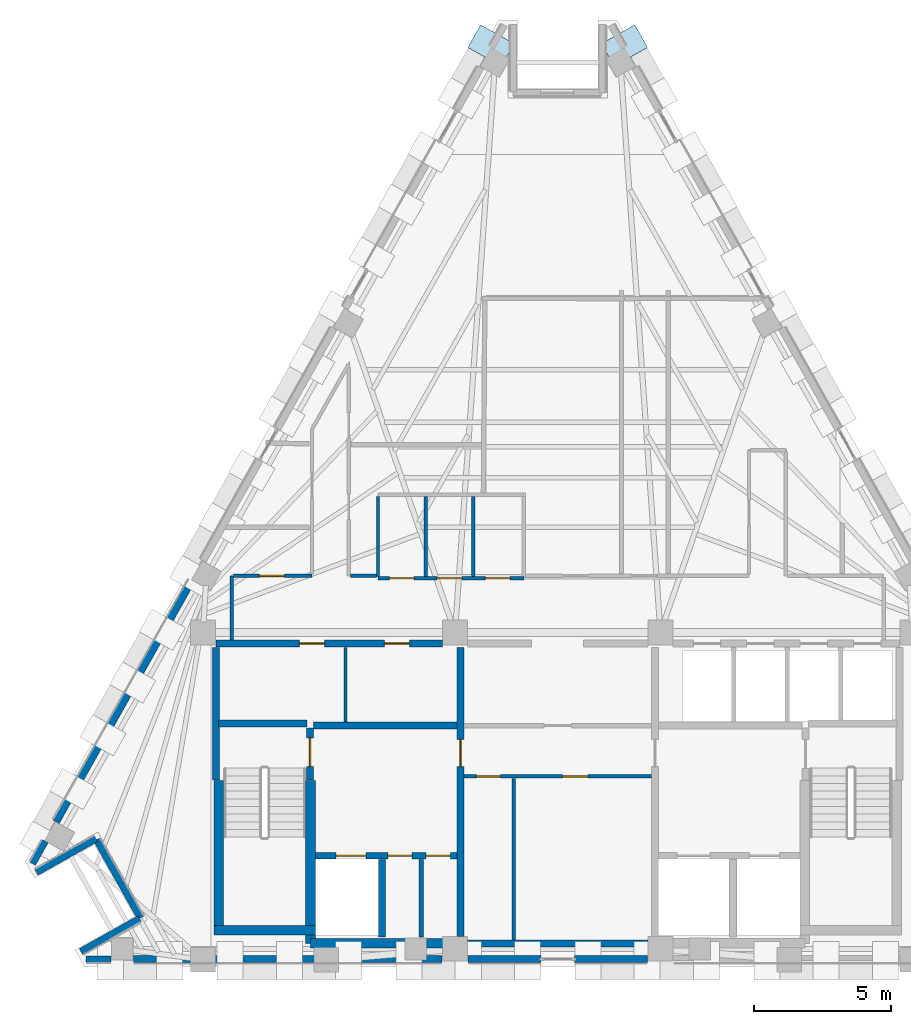
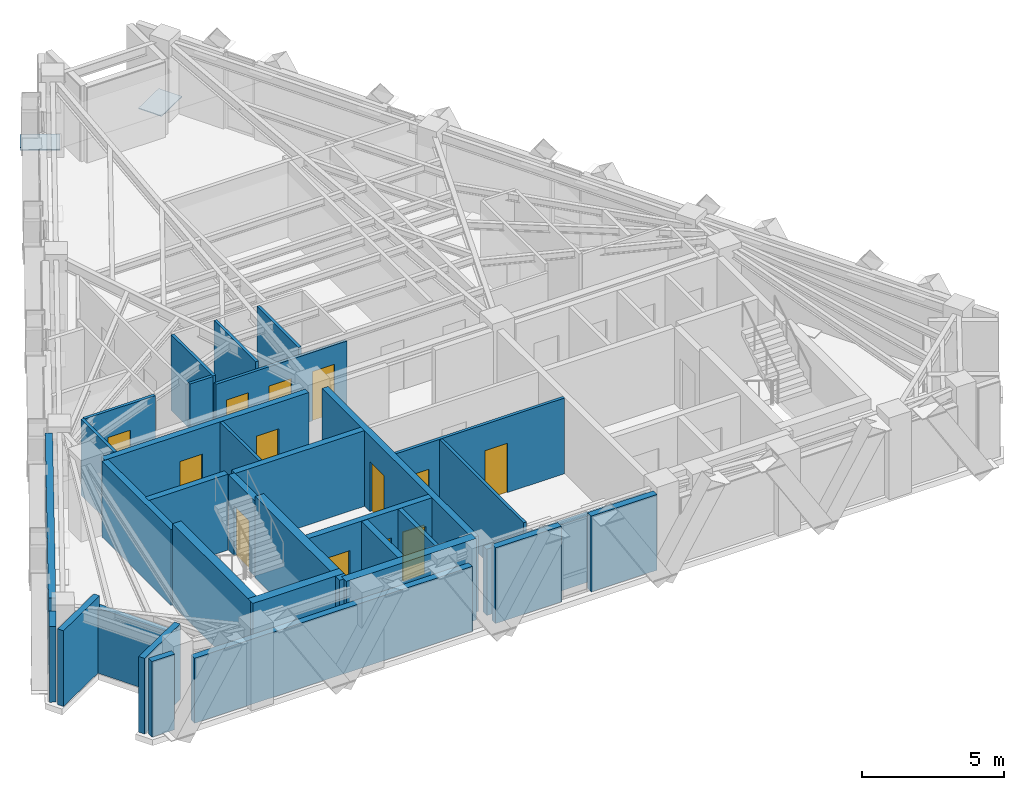
# One storey, part 5 of 9: 33 walls, 13 doors, 2 plates, 13 openings.
"""IFC4 building model written with IfcOpenShell, lengths in metres."""

from ifc_helpers import new_model, si_unit, direction, frame, frame_2d, origin, origin_2d, place, context, subcontext, project, spatial, rectangle, extrude, material, layer, layer_set, type_object, element, fill, save


model = new_model("IFC4")

# Units and contexts
model_context = context("Model", 3, precision=1e-05, world=origin(), true_north=direction((0.0, 1.0)))
body_context = subcontext(model_context, "Body", "Model", "MODEL_VIEW")
ifc_project = project(units=[si_unit("LENGTHUNIT", "METRE"), si_unit("AREAUNIT", "SQUARE_METRE"), si_unit("VOLUMEUNIT", "CUBIC_METRE"), si_unit("PLANEANGLEUNIT", "RADIAN"), si_unit("MASSUNIT", "GRAM", prefix="KILO")], contexts=[model_context])

# Site, building, storey
site_placement = place(None, origin())
site = spatial("IfcSite", under=ifc_project, at=site_placement, CompositionType="ELEMENT")
building_placement = place(site_placement, origin())
building = spatial("IfcBuilding", under=site, at=building_placement, Name="Quenlor Broadcast Tower", CompositionType="ELEMENT")
storey_placement = place(building_placement, frame((0.0, 0.0, 249.89990234375)))
storey = spatial("IfcBuildingStorey", under=building, at=storey_placement, Name="L69", CompositionType="ELEMENT", Elevation=249.89990234375)

# Plates
ifc_material_1 = material(Name="Steel S355", Category="steel")
ifc_layer_1 = layer(ifc_material_1, 0.035888671875)
ifc_layer_set_1 = layer_set([ifc_layer_1], Name="Transfer Truss Steel S355 Gusset Node Plate 1400x950x36")
plate_type = type_object("IfcPlateType", Name="Transfer Truss Steel S355 Gusset Node Plate 1400x950x36", PredefinedType="SHEET", material=ifc_layer_set_1)
for number, where, z_axis, x_axis, name in (
    (1, (2.438232421875, 16.626708984375, 0.0419921875), (0.0, 0.0, 1.0), (0.871556314255, 0.490295412055, 0.0), "L69 Lattice Tie Gusset Node NE-B0"),
    (2, (-2.438232421875, 16.626708984375, 0.0419921875), (0.0, 0.0, 1.0), (-0.871556314255, 0.490295412055, 0.0), "L69 Lattice Tie Gusset Node NW-B15"),
):
    element("IfcPlate", number, at=place(storey_placement, frame(where, z_axis=z_axis, x_axis=x_axis)), inside=storey, type_object=plate_type, Name=name, PredefinedType="SHEET", context=body_context, shape_type="SweptSolid", body=[
        extrude(rectangle(XDim=1.39990234375, YDim=0.949951171875, at=origin_2d()), origin(), (0.0, 0.0, 1.0), 0.035888671875),
    ])

# Walls
ifc_material_2 = material(Name="Concrete C50/60", Category="concrete")
ifc_layer_2 = layer(ifc_material_2, 0.35009765625)
ifc_layer_set_2 = layer_set([ifc_layer_2], Name="Core Concrete C50/60 Shear Wall 350")
wall_type_1 = type_object("IfcWallType", Name="Core Concrete C50/60 Shear Wall 350", PredefinedType="SHEAR", material=ifc_layer_set_2)
wall_1_placement = place(storey_placement, frame((-12.550048828125, -15.675048828125, 0.0), z_axis=(0.0, 0.0, 1.0), x_axis=(1.0, 0.0, 0.0)))
element("IfcWall", 3, at=wall_1_placement, inside=storey, type_object=wall_type_1, Name="L69 Core Shear Wall WS-W1", PredefinedType="SHEAR", context=body_context, shape_type="SweptSolid", body=[
    extrude(rectangle(XDim=3.699951171875, YDim=0.35009765625, at=frame_2d((1.85009765625, 0.0))), origin(), (0.0, 0.0, 1.0), 3.5),
])
wall_2_placement = place(storey_placement, frame((-9.02490234375, -16.14990234375, 0.0), z_axis=(0.0, 0.0, 1.0), x_axis=(1.0, 0.0, 0.0)))
element("IfcWall", 4, at=wall_2_placement, inside=storey, type_object=wall_type_1, Name="L69 Core Shear Wall WS-W2", PredefinedType="SHEAR", context=body_context, shape_type="SweptSolid", body=[
    extrude(rectangle(XDim=5.27490234375, YDim=0.35009765625, at=frame_2d((2.637451171875, 0.0))), origin(), (0.0, 0.0, 1.0), 3.5),
])
wall_3_placement = place(storey_placement, frame((-12.375, -15.675048828125, 0.0), z_axis=(0.0, 0.0, 1.0), x_axis=(0.0, 1.0, 0.0)))
element("IfcWall", 5, at=wall_3_placement, inside=storey, type_object=wall_type_1, Name="L69 Core Shear Wall WF-W", PredefinedType="SHEAR", context=body_context, shape_type="SweptSolid", body=[
    extrude(rectangle(XDim=5.47509765625, YDim=0.35009765625, at=frame_2d((2.737548828125, 0.0))), origin(), (0.0, 0.0, 1.0), 3.5),
])
wall_4_placement = place(storey_placement, frame((-9.02490234375, -16.14990234375, 0.0), z_axis=(0.0, 0.0, 1.0), x_axis=(0.0, 1.0, 0.0)))
element("IfcWall", 6, at=wall_4_placement, inside=storey, type_object=wall_type_1, Name="L69 Core Shear Wall WI-W", PredefinedType="SHEAR", context=body_context, shape_type="SweptSolid", body=[
    extrude(rectangle(XDim=5.949951171875, YDim=0.35009765625, at=frame_2d((2.97509765625, 0.0))), origin(), (0.0, 0.0, 1.0), 3.5),
])

# Wall, opening, door
ifc_material_3 = material(Name="Concrete C40/50", Category="concrete")
ifc_layer_3 = layer(ifc_material_3, 0.25)
ifc_layer_set_3 = layer_set([ifc_layer_3], Name="Fire Rated Concrete C40/50 Core Wall 250")
wall_type_2 = type_object("IfcWallType", Name="Fire Rated Concrete C40/50 Core Wall 250", PredefinedType="PARTITIONING", material=ifc_layer_set_3)
wall_5_placement = place(storey_placement, frame((-9.0400390625, -10.179931640625, 0.0), z_axis=(0.0, 0.0, 1.0), x_axis=(0.0, 1.0, 0.0)))
wall_5 = element("IfcWall", 7, at=wall_5_placement, inside=storey, type_object=wall_type_2, Name="L69 Interior Wall CW-ST1-DR", PredefinedType="PARTITIONING", context=body_context, shape_type="SweptSolid", body=[
    extrude(rectangle(XDim=1.89990234375, YDim=0.25, at=frame_2d((0.949951171875, 0.0))), origin(), (0.0, 0.0, 1.0), 3.25),
])
opening_1_placement = place(wall_5_placement, frame((0.47998046875, 0.0, 0.0)))
opening_1 = element("IfcOpeningElement", 8, at=opening_1_placement, cuts=wall_5, Name="Opening FD-1", PredefinedType="OPENING", context=body_context, shape_type="SweptSolid", body=[
    extrude(rectangle(XDim=1.050048828125, YDim=2.14990234375, at=frame_2d((0.52490234375, 1.074951171875))), frame((0.0, 0.135009765625, 0.0), z_axis=(0.0, -1.0, 0.0), x_axis=(1.0, 0.0, 0.0)), (0.0, 0.0, 1.0), 0.27001953125),
])
ifc_material_4 = material(Name="Fire Rated Steel Door Leaf", Category="steel")
door_type_1 = type_object("IfcDoorType", Name="Fire Isolated Stair Door 1050x2150", OperationType="NOTDEFINED", PredefinedType="DOOR", material=ifc_material_4)
door_1_placement = place(opening_1_placement, origin())
door_1 = element("IfcDoor", 9, at=door_1_placement, inside=storey, type_object=door_type_1, Name="L69 Door DR-ST1", OperationType="SINGLE_SWING_LEFT", OverallHeight=2.14990234375, OverallWidth=1.050048828125, PredefinedType="DOOR", context=body_context, shape_type="SweptSolid", body=[
    extrude(rectangle(XDim=1.050048828125, YDim=2.14990234375, at=frame_2d((0.52490234375, 1.074951171875))), frame((0.0, 0.02490234375, 0.0), z_axis=(0.0, -1.0, 0.0), x_axis=(1.0, 0.0, 0.0)), (0.0, 0.0, 1.0), 0.050048828125),
])
fill(opening_1, door_1)

# Walls
wall_6_placement = place(storey_placement, frame((-12.3798828125, -8.1201171875, 0.0), z_axis=(0.0, 0.0, 1.0), x_axis=(1.0, 0.0, 0.0)))
element("IfcWall", 10, at=wall_6_placement, inside=storey, type_object=wall_type_2, Name="L69 Interior Wall CW-ST1-N", PredefinedType="PARTITIONING", context=body_context, shape_type="SweptSolid", body=[
    extrude(rectangle(XDim=3.219970703125, YDim=0.25, at=frame_2d((1.60986328125, 0.0))), origin(), (0.0, 0.0, 1.0), 3.25),
])
wall_7_placement = place(storey_placement, frame((-12.47998046875, -10.179931640625, 0.0), z_axis=(0.0, 0.0, 1.0), x_axis=(0.0, 1.0, 0.0)))
element("IfcWall", 11, at=wall_7_placement, inside=storey, type_object=wall_type_2, Name="L69 Interior Wall CW-ST1-W2", PredefinedType="PARTITIONING", context=body_context, shape_type="SweptSolid", body=[
    extrude(rectangle(XDim=4.83984375, YDim=0.25, at=frame_2d((2.419921875, 0.0))), origin(), (0.0, 0.0, 1.0), 3.25),
])

# Wall, openings, doors
wall_8_placement = place(storey_placement, frame((-8.847900390625, -12.949951171875, 0.0), z_axis=(0.0, 0.0, 1.0), x_axis=(1.0, 0.0, 0.0)))
wall_8 = element("IfcWall", 12, at=wall_8_placement, inside=storey, type_object=wall_type_2, Name="L69 Interior Wall CW-FFW-S", PredefinedType="PARTITIONING", context=body_context, shape_type="SweptSolid", body=[
    extrude(rectangle(XDim=5.16796875, YDim=0.25, at=frame_2d((2.583984375, 0.0))), origin(), (0.0, 0.0, 1.0), 3.25),
])
opening_2_placement = place(wall_8_placement, frame((0.748046875, 0.0, 0.0)))
opening_2 = element("IfcOpeningElement", 13, at=opening_2_placement, cuts=wall_8, Name="Opening LD-FFL-1", PredefinedType="OPENING", context=body_context, shape_type="SweptSolid", body=[
    extrude(rectangle(XDim=1.10009765625, YDim=2.14990234375, at=frame_2d((0.550048828125, 1.074951171875))), frame((0.0, 0.135009765625, 0.0), z_axis=(0.0, -1.0, 0.0), x_axis=(1.0, 0.0, 0.0)), (0.0, 0.0, 1.0), 0.27001953125),
])
opening_3_placement = place(wall_8_placement, frame((2.64794921875, 0.0, 0.0)))
opening_3 = element("IfcOpeningElement", 14, at=opening_3_placement, cuts=wall_8, Name="Opening TD-1", PredefinedType="OPENING", context=body_context, shape_type="SweptSolid", body=[
    extrude(rectangle(XDim=0.8798828125, YDim=2.10009765625, at=frame_2d((0.43994140625, 1.050048828125))), frame((0.0, 0.135009765625, 0.0), z_axis=(0.0, -1.0, 0.0), x_axis=(1.0, 0.0, 0.0)), (0.0, 0.0, 1.0), 0.27001953125),
])
opening_4_placement = place(wall_8_placement, frame((4.048095703125, 0.0, 0.0)))
opening_4 = element("IfcOpeningElement", 15, at=opening_4_placement, cuts=wall_8, Name="Opening TD-1", PredefinedType="OPENING", context=body_context, shape_type="SweptSolid", body=[
    extrude(rectangle(XDim=0.8798828125, YDim=2.10009765625, at=frame_2d((0.43994140625, 1.050048828125))), frame((0.0, 0.135009765625, 0.0), z_axis=(0.0, -1.0, 0.0), x_axis=(1.0, 0.0, 0.0)), (0.0, 0.0, 1.0), 0.27001953125),
])
ifc_material_5 = material(Name="Brushed Stainless Steel", Category="steel")
door_type_2 = type_object("IfcDoorType", Name="Emergency Lift Sliding Landing Door 1100x2150", OperationType="NOTDEFINED", PredefinedType="DOOR", material=ifc_material_5)
door_2_placement = place(opening_2_placement, origin())
door_2 = element("IfcDoor", 16, at=door_2_placement, inside=storey, type_object=door_type_2, Name="L69 Door LD-FFL-1", OperationType="SLIDING_TO_LEFT", OverallHeight=2.14990234375, OverallWidth=1.10009765625, PredefinedType="DOOR", context=body_context, shape_type="SweptSolid", body=[
    extrude(rectangle(XDim=1.10009765625, YDim=2.14990234375, at=frame_2d((0.550048828125, 1.074951171875))), frame((0.0, 0.02490234375, 0.0), z_axis=(0.0, -1.0, 0.0), x_axis=(1.0, 0.0, 0.0)), (0.0, 0.0, 1.0), 0.050048828125),
])
fill(opening_2, door_2)
ifc_material_6 = material(Name="Fire Rated Steel Access Panel", Category="steel")
door_type_3 = type_object("IfcDoorType", Name="Riser Shaft Rated Access Trapdoor 880x2100", OperationType="NOTDEFINED", PredefinedType="TRAPDOOR", material=ifc_material_6)
door_3_placement = place(opening_3_placement, origin())
door_3 = element("IfcDoor", 17, at=door_3_placement, inside=storey, type_object=door_type_3, Name="L69 Door DR-ELR", OperationType="SINGLE_SWING_LEFT", OverallHeight=2.10009765625, OverallWidth=0.8798828125, PredefinedType="TRAPDOOR", context=body_context, shape_type="SweptSolid", body=[
    extrude(rectangle(XDim=0.8798828125, YDim=2.10009765625, at=frame_2d((0.43994140625, 1.050048828125))), frame((0.0, 0.02490234375, 0.0), z_axis=(0.0, -1.0, 0.0), x_axis=(1.0, 0.0, 0.0)), (0.0, 0.0, 1.0), 0.050048828125),
])
fill(opening_3, door_3)
door_4_placement = place(opening_4_placement, origin())
door_4 = element("IfcDoor", 18, at=door_4_placement, inside=storey, type_object=door_type_3, Name="L69 Door DR-CMR", OperationType="SINGLE_SWING_RIGHT", OverallHeight=2.10009765625, OverallWidth=0.8798828125, PredefinedType="TRAPDOOR", context=body_context, shape_type="SweptSolid", body=[
    extrude(rectangle(XDim=0.8798828125, YDim=2.10009765625, at=frame_2d((0.43994140625, 1.050048828125))), frame((0.0, 0.02490234375, 0.0), z_axis=(0.0, -1.0, 0.0), x_axis=(1.0, 0.0, 0.0)), (0.0, 0.0, 1.0), 0.050048828125),
])
fill(opening_4, door_4)

# Walls
wall_9_placement = place(storey_placement, frame((-6.419921875, -15.919921875, 0.0), z_axis=(0.0, 0.0, 1.0), x_axis=(0.0, 1.0, 0.0)))
element("IfcWall", 19, at=wall_9_placement, inside=storey, type_object=wall_type_2, Name="L69 Interior Wall CW-FF1-E", PredefinedType="PARTITIONING", context=body_context, shape_type="SweptSolid", body=[
    extrude(rectangle(XDim=2.829833984375, YDim=0.25, at=frame_2d((1.4150390625, 0.0))), origin(), (0.0, 0.0, 1.0), 3.25),
])
wall_10_placement = place(storey_placement, frame((-8.919921875, -8.199951171875, 0.0), z_axis=(0.0, 0.0, 1.0), x_axis=(1.0, 0.0, 0.0)))
element("IfcWall", 20, at=wall_10_placement, inside=storey, type_object=wall_type_2, Name="L69 Interior Wall CW-FFW-N", PredefinedType="PARTITIONING", context=body_context, shape_type="SweptSolid", body=[
    extrude(rectangle(XDim=5.239990234375, YDim=0.25, at=frame_2d((2.6201171875, 0.0))), origin(), (0.0, 0.0, 1.0), 3.25),
])

# Wall, opening, door
wall_11_placement = place(storey_placement, frame((-3.550048828125, -15.89794921875, 0.0), z_axis=(0.0, 0.0, 1.0), x_axis=(0.0, 1.0, 0.0)))
wall_11 = element("IfcWall", 21, at=wall_11_placement, inside=storey, type_object=wall_type_2, Name="L69 Interior Wall CW-FFW-E", PredefinedType="PARTITIONING", context=body_context, shape_type="SweptSolid", body=[
    extrude(rectangle(XDim=10.557861328125, YDim=0.25, at=frame_2d((5.27880859375, 0.0))), origin(), (0.0, 0.0, 1.0), 3.25),
])
opening_5_placement = place(wall_11_placement, frame((6.197998046875, 0.0, 0.0)))
opening_5 = element("IfcOpeningElement", 22, at=opening_5_placement, cuts=wall_11, Name="Opening FD-2", PredefinedType="OPENING", context=body_context, shape_type="SweptSolid", body=[
    extrude(rectangle(XDim=1.0, YDim=2.14990234375, at=frame_2d((0.5, 1.074951171875))), frame((0.0, 0.135009765625, 0.0), z_axis=(0.0, -1.0, 0.0), x_axis=(1.0, 0.0, 0.0)), (0.0, 0.0, 1.0), 0.27001953125),
])
ifc_material_7 = material(Name="Fire Rated Glazed Steel Door", Category="steel")
door_type_4 = type_object("IfcDoorType", Name="Firefighting Lobby Smoke Door 1000x2150", OperationType="NOTDEFINED", PredefinedType="DOOR", material=ifc_material_7)
door_5_placement = place(opening_5_placement, origin())
door_5 = element("IfcDoor", 23, at=door_5_placement, inside=storey, type_object=door_type_4, Name="L69 Door DR-FFLW", OperationType="SINGLE_SWING_RIGHT", OverallHeight=2.14990234375, OverallWidth=1.0, PredefinedType="DOOR", context=body_context, shape_type="SweptSolid", body=[
    extrude(rectangle(XDim=1.0, YDim=2.14990234375, at=frame_2d((0.5, 1.074951171875))), frame((0.0, 0.02490234375, 0.0), z_axis=(0.0, -1.0, 0.0), x_axis=(1.0, 0.0, 0.0)), (0.0, 0.0, 1.0), 0.050048828125),
])
fill(opening_5, door_5)

# Wall, openings, doors
wall_12_placement = place(storey_placement, frame((-12.47998046875, -5.199951171875, 0.0), z_axis=(0.0, 0.0, 1.0), x_axis=(1.0, 0.0, 0.0)))
wall_12 = element("IfcWall", 24, at=wall_12_placement, inside=storey, type_object=wall_type_2, Name="L69 Interior Wall CW-N-W", PredefinedType="PARTITIONING", context=body_context, shape_type="SweptSolid", body=[
    extrude(rectangle(XDim=8.278076171875, YDim=0.25, at=frame_2d((4.13916015625, 0.0))), origin(), (0.0, 0.0, 1.0), 3.25),
])
opening_6_placement = place(wall_12_placement, frame((3.050048828125, 0.0, 0.0)))
opening_6 = element("IfcOpeningElement", 25, at=opening_6_placement, cuts=wall_12, Name="Opening ID-1", PredefinedType="OPENING", context=body_context, shape_type="SweptSolid", body=[
    extrude(rectangle(XDim=0.919921875, YDim=2.1201171875, at=frame_2d((0.4599609375, 1.06005859375))), frame((0.0, 0.135009765625, 0.0), z_axis=(0.0, -1.0, 0.0), x_axis=(1.0, 0.0, 0.0)), (0.0, 0.0, 1.0), 0.27001953125),
])
opening_7_placement = place(wall_12_placement, frame((6.14990234375, 0.0, 0.0)))
opening_7 = element("IfcOpeningElement", 26, at=opening_7_placement, cuts=wall_12, Name="Opening ID-1", PredefinedType="OPENING", context=body_context, shape_type="SweptSolid", body=[
    extrude(rectangle(XDim=0.919921875, YDim=2.1201171875, at=frame_2d((0.4599609375, 1.06005859375))), frame((0.0, 0.135009765625, 0.0), z_axis=(0.0, -1.0, 0.0), x_axis=(1.0, 0.0, 0.0)), (0.0, 0.0, 1.0), 0.27001953125),
])
ifc_material_8 = material(Name="Solid Core Timber Oak", Category="wood")
door_type_5 = type_object("IfcDoorType", Name="Single Leaf Timber Office Door 920x2120", OperationType="NOTDEFINED", PredefinedType="DOOR", material=ifc_material_8)
door_6_placement = place(opening_6_placement, origin())
door_6 = element("IfcDoor", 27, at=door_6_placement, inside=storey, type_object=door_type_5, Name="L69 Door DR-RCL1", OperationType="SINGLE_SWING_LEFT", OverallHeight=2.1201171875, OverallWidth=0.919921875, PredefinedType="DOOR", context=body_context, shape_type="SweptSolid", body=[
    extrude(rectangle(XDim=0.919921875, YDim=2.1201171875, at=frame_2d((0.4599609375, 1.06005859375))), frame((0.0, 0.02490234375, 0.0), z_axis=(0.0, -1.0, 0.0), x_axis=(1.0, 0.0, 0.0)), (0.0, 0.0, 1.0), 0.050048828125),
])
fill(opening_6, door_6)
door_7_placement = place(opening_7_placement, origin())
door_7 = element("IfcDoor", 28, at=door_7_placement, inside=storey, type_object=door_type_5, Name="L69 Door DR-RCL2", OperationType="SINGLE_SWING_RIGHT", OverallHeight=2.1201171875, OverallWidth=0.919921875, PredefinedType="DOOR", context=body_context, shape_type="SweptSolid", body=[
    extrude(rectangle(XDim=0.919921875, YDim=2.1201171875, at=frame_2d((0.4599609375, 1.06005859375))), frame((0.0, 0.02490234375, 0.0), z_axis=(0.0, -1.0, 0.0), x_axis=(1.0, 0.0, 0.0)), (0.0, 0.0, 1.0), 0.050048828125),
])
fill(opening_7, door_7)

# Walls
wall_13_placement = place(storey_placement, frame((-3.298095703125, -16.14990234375, 0.0), z_axis=(0.0, 0.0, 1.0), x_axis=(1.0, 0.0, 0.0)))
element("IfcWall", 29, at=wall_13_placement, inside=storey, type_object=wall_type_2, Name="L69 Interior Wall CW-MS-S", PredefinedType="PARTITIONING", context=body_context, shape_type="SweptSolid", body=[
    extrude(rectangle(XDim=6.59619140625, YDim=0.25, at=frame_2d((3.298095703125, 0.0))), origin(), (0.0, 0.0, 1.0), 2.84375),
])
ifc_material_9 = material(Name="Gypsum Fireboard Partition", Category="other")
ifc_layer_4 = layer(ifc_material_9, 0.159912109375)
ifc_layer_set_4 = layer_set([ifc_layer_4], Name="Fire Rated Shaft and Corridor Partition 160")
wall_type_3 = type_object("IfcWallType", Name="Fire Rated Shaft and Corridor Partition 160", PredefinedType="PARTITIONING", material=ifc_layer_set_4)
wall_14_placement = place(storey_placement, frame((-4.97998046875, -15.919921875, 0.0), z_axis=(0.0, 0.0, 1.0), x_axis=(0.0, 1.0, 0.0)))
element("IfcWall", 30, at=wall_14_placement, inside=storey, type_object=wall_type_3, Name="L69 Interior Wall CW-ELR-E", PredefinedType="PARTITIONING", context=body_context, shape_type="SweptSolid", body=[
    extrude(rectangle(XDim=2.829833984375, YDim=0.159912109375, at=frame_2d((1.4150390625, 0.0))), origin(), (0.0, 0.0, 1.0), 3.25),
])
ifc_material_10 = material(Name="Gypsum Plasterboard Partition", Category="other")
ifc_layer_5 = layer(ifc_material_10, 0.1201171875)
ifc_layer_set_5 = layer_set([ifc_layer_5], Name="Standard Office Partition 120")
wall_type_4 = type_object("IfcWallType", Name="Standard Office Partition 120", PredefinedType="PARTITIONING", material=ifc_layer_set_5)
wall_15_placement = place(storey_placement, frame((-7.75, -8.072998046875, 0.0), z_axis=(0.0, 0.0, 1.0), x_axis=(0.0, 1.0, 0.0)))
element("IfcWall", 31, at=wall_15_placement, inside=storey, type_object=wall_type_4, Name="L69 Interior Wall CW-RCL-MID", PredefinedType="PARTITIONING", context=body_context, shape_type="SweptSolid", body=[
    extrude(rectangle(XDim=2.73291015625, YDim=0.1201171875, at=frame_2d((1.366455078125, 0.0))), origin(), (0.0, 0.0, 1.0), 3.25),
])

# Wall, openings, doors
wall_16_placement = place(storey_placement, frame((-3.419921875, -10.050048828125, 0.0), z_axis=(0.0, 0.0, 1.0), x_axis=(1.0, 0.0, 0.0)))
wall_16 = element("IfcWall", 32, at=wall_16_placement, inside=storey, type_object=wall_type_4, Name="L69 Interior Wall CW-MS-N", PredefinedType="PARTITIONING", context=body_context, shape_type="SweptSolid", body=[
    extrude(rectangle(XDim=6.83984375, YDim=0.1201171875, at=frame_2d((3.419921875, 0.0))), origin(), (0.0, 0.0, 1.0), 3.25),
])
opening_8_placement = place(wall_16_placement, frame((0.449951171875, 0.0, 0.0)))
opening_8 = element("IfcOpeningElement", 33, at=opening_8_placement, cuts=wall_16, Name="Opening ID-4", PredefinedType="OPENING", context=body_context, shape_type="SweptSolid", body=[
    extrude(rectangle(XDim=0.8798828125, YDim=2.1201171875, at=frame_2d((0.43994140625, 1.06005859375))), frame((0.0, 0.070068359375, 0.0), z_axis=(0.0, -1.0, 0.0), x_axis=(1.0, 0.0, 0.0)), (0.0, 0.0, 1.0), 0.14013671875),
])
opening_9_placement = place(wall_16_placement, frame((3.60009765625, 0.0, 0.0)))
opening_9 = element("IfcOpeningElement", 34, at=opening_9_placement, cuts=wall_16, Name="Opening ID-1", PredefinedType="OPENING", context=body_context, shape_type="SweptSolid", body=[
    extrude(rectangle(XDim=0.919921875, YDim=2.1201171875, at=frame_2d((0.4599609375, 1.06005859375))), frame((0.0, 0.070068359375, 0.0), z_axis=(0.0, -1.0, 0.0), x_axis=(1.0, 0.0, 0.0)), (0.0, 0.0, 1.0), 0.14013671875),
])
ifc_material_11 = material(Name="Solid Core Timber Oak", Category="wood")
door_type_6 = type_object("IfcDoorType", Name="Service Closet Timber Door 880x2120", OperationType="NOTDEFINED", PredefinedType="DOOR", material=ifc_material_11)
door_8_placement = place(opening_8_placement, origin())
door_8 = element("IfcDoor", 35, at=door_8_placement, inside=storey, type_object=door_type_6, Name="L69 Door DR-RCMA", OperationType="SINGLE_SWING_LEFT", OverallHeight=2.1201171875, OverallWidth=0.8798828125, PredefinedType="DOOR", context=body_context, shape_type="SweptSolid", body=[
    extrude(rectangle(XDim=0.8798828125, YDim=2.1201171875, at=frame_2d((0.43994140625, 1.06005859375))), frame((0.0, 0.02490234375, 0.0), z_axis=(0.0, -1.0, 0.0), x_axis=(1.0, 0.0, 0.0)), (0.0, 0.0, 1.0), 0.050048828125),
])
fill(opening_8, door_8)
door_9_placement = place(opening_9_placement, origin())
door_9 = element("IfcDoor", 36, at=door_9_placement, inside=storey, type_object=door_type_5, Name="L69 Door DR-RCMB", OperationType="SINGLE_SWING_RIGHT", OverallHeight=2.1201171875, OverallWidth=0.919921875, PredefinedType="DOOR", context=body_context, shape_type="SweptSolid", body=[
    extrude(rectangle(XDim=0.919921875, YDim=2.1201171875, at=frame_2d((0.4599609375, 1.06005859375))), frame((0.0, 0.02490234375, 0.0), z_axis=(0.0, -1.0, 0.0), x_axis=(1.0, 0.0, 0.0)), (0.0, 0.0, 1.0), 0.050048828125),
])
fill(opening_9, door_9)

# Wall
wall_17_placement = place(storey_placement, frame((-1.60009765625, -16.02001953125, 0.0), z_axis=(0.0, 0.0, 1.0), x_axis=(0.0, 1.0, 0.0)))
element("IfcWall", 37, at=wall_17_placement, inside=storey, type_object=wall_type_4, Name="L69 Interior Wall CW-RCM-X1", PredefinedType="PARTITIONING", context=body_context, shape_type="SweptSolid", body=[
    extrude(rectangle(XDim=5.89013671875, YDim=0.1201171875, at=frame_2d((2.945068359375, 0.0))), origin(), (0.0, 0.0, 1.0), 3.25),
])

# Wall, openings, doors
wall_18_placement = place(storey_placement, frame((-6.56005859375, -2.820068359375, 0.0), z_axis=(0.0, 0.0, 1.0), x_axis=(1.0, 0.0, 0.0)))
wall_18 = element("IfcWall", 38, at=wall_18_placement, inside=storey, type_object=wall_type_4, Name="L69 Interior Wall PW-WC-S", PredefinedType="PARTITIONING", context=body_context, shape_type="SweptSolid", body=[
    extrude(rectangle(XDim=5.320068359375, YDim=0.1201171875, at=frame_2d((2.66015625, 0.0))), origin(), (0.0, 0.0, 1.0), 2.94287109375),
])
opening_10_placement = place(wall_18_placement, frame((0.419921875, 0.0, 0.0)))
opening_10 = element("IfcOpeningElement", 39, at=opening_10_placement, cuts=wall_18, Name="Opening ID-3", PredefinedType="OPENING", context=body_context, shape_type="SweptSolid", body=[
    extrude(rectangle(XDim=0.89990234375, YDim=2.1201171875, at=frame_2d((0.449951171875, 1.06005859375))), frame((0.0, 0.070068359375, 0.0), z_axis=(0.0, -1.0, 0.0), x_axis=(1.0, 0.0, 0.0)), (0.0, 0.0, 1.0), 0.14013671875),
])
opening_11_placement = place(wall_18_placement, frame((2.159912109375, 0.0, 0.0)))
opening_11 = element("IfcOpeningElement", 40, at=opening_11_placement, cuts=wall_18, Name="Opening ID-3", PredefinedType="OPENING", context=body_context, shape_type="SweptSolid", body=[
    extrude(rectangle(XDim=0.89990234375, YDim=2.1201171875, at=frame_2d((0.449951171875, 1.06005859375))), frame((0.0, 0.070068359375, 0.0), z_axis=(0.0, -1.0, 0.0), x_axis=(1.0, 0.0, 0.0)), (0.0, 0.0, 1.0), 0.14013671875),
])
opening_12_placement = place(wall_18_placement, frame((3.919921875, 0.0, 0.0)))
opening_12 = element("IfcOpeningElement", 41, at=opening_12_placement, cuts=wall_18, Name="Opening ID-3", PredefinedType="OPENING", context=body_context, shape_type="SweptSolid", body=[
    extrude(rectangle(XDim=0.89990234375, YDim=2.1201171875, at=frame_2d((0.449951171875, 1.06005859375))), frame((0.0, 0.070068359375, 0.0), z_axis=(0.0, -1.0, 0.0), x_axis=(1.0, 0.0, 0.0)), (0.0, 0.0, 1.0), 0.14013671875),
])
ifc_material_12 = material(Name="Moisture Resistant Timber Oak", Category="wood")
door_type_7 = type_object("IfcDoorType", Name="Washroom Privacy Door 900x2120", OperationType="NOTDEFINED", PredefinedType="DOOR", material=ifc_material_12)
door_10_placement = place(opening_10_placement, origin())
door_10 = element("IfcDoor", 42, at=door_10_placement, inside=storey, type_object=door_type_7, Name="L69 Door DR-FWC", OperationType="SINGLE_SWING_LEFT", OverallHeight=2.1201171875, OverallWidth=0.89990234375, PredefinedType="DOOR", context=body_context, shape_type="SweptSolid", body=[
    extrude(rectangle(XDim=0.89990234375, YDim=2.1201171875, at=frame_2d((0.449951171875, 1.06005859375))), frame((0.0, 0.02490234375, 0.0), z_axis=(0.0, -1.0, 0.0), x_axis=(1.0, 0.0, 0.0)), (0.0, 0.0, 1.0), 0.050048828125),
])
fill(opening_10, door_10)
door_11_placement = place(opening_11_placement, origin())
door_11 = element("IfcDoor", 43, at=door_11_placement, inside=storey, type_object=door_type_7, Name="L69 Door DR-MWC", OperationType="SINGLE_SWING_RIGHT", OverallHeight=2.1201171875, OverallWidth=0.89990234375, PredefinedType="DOOR", context=body_context, shape_type="SweptSolid", body=[
    extrude(rectangle(XDim=0.89990234375, YDim=2.1201171875, at=frame_2d((0.449951171875, 1.06005859375))), frame((0.0, 0.02490234375, 0.0), z_axis=(0.0, -1.0, 0.0), x_axis=(1.0, 0.0, 0.0)), (0.0, 0.0, 1.0), 0.050048828125),
])
fill(opening_11, door_11)
door_12_placement = place(opening_12_placement, origin())
door_12 = element("IfcDoor", 44, at=door_12_placement, inside=storey, type_object=door_type_7, Name="L69 Door DR-AWC", OperationType="SINGLE_SWING_RIGHT", OverallHeight=2.1201171875, OverallWidth=0.89990234375, PredefinedType="DOOR", context=body_context, shape_type="SweptSolid", body=[
    extrude(rectangle(XDim=0.89990234375, YDim=2.1201171875, at=frame_2d((0.449951171875, 1.06005859375))), frame((0.0, 0.02490234375, 0.0), z_axis=(0.0, -1.0, 0.0), x_axis=(1.0, 0.0, 0.0)), (0.0, 0.0, 1.0), 0.050048828125),
])
fill(opening_12, door_12)

# Walls
for number, where, z_axis, x_axis, name in (
    (45, (-6.56005859375, -2.758056640625, 0.0), (0.0, 0.0, 1.0), (0.0, 1.0, 0.0), "L69 Interior Wall PW-WC-W"),
    (46, (-4.820068359375, -2.758056640625, 0.0), (0.0, 0.0, 1.0), (0.0, 1.0, 0.0), "L69 Interior Wall PW-WC-M1"),
    (47, (-3.080078125, -2.758056640625, 0.0), (0.0, 0.0, 1.0), (0.0, 1.0, 0.0), "L69 Interior Wall PW-WC-M2"),
):
    element("IfcWall", number, at=place(storey_placement, frame(where, z_axis=z_axis, x_axis=x_axis)), inside=storey, type_object=wall_type_4, Name=name, PredefinedType="PARTITIONING", context=body_context, shape_type="SweptSolid", body=[
        extrude(rectangle(XDim=2.926025390625, YDim=0.1201171875, at=frame_2d((1.462890625, 0.0))), origin(), (0.0, 0.0, 1.0), 3.25),
    ])
wall_19_placement = place(storey_placement, frame((-11.89990234375, -5.072998046875, 0.0), z_axis=(0.0, 0.0, 1.0), x_axis=(0.0, 1.0, 0.0)))
element("IfcWall", 48, at=wall_19_placement, inside=storey, type_object=wall_type_4, Name="L69 Interior Wall PW-CR-01", PredefinedType="PARTITIONING", context=body_context, shape_type="SweptSolid", body=[
    extrude(rectangle(XDim=2.343017578125, YDim=0.1201171875, at=frame_2d((1.17138671875, 0.0))), origin(), (0.0, 0.0, 1.0), 3.25),
])

# Wall, opening, door
wall_20_placement = place(storey_placement, frame((-11.837890625, -2.72998046875, 0.0), z_axis=(0.0, 0.0, 1.0), x_axis=(1.0, 0.0, 0.0)))
wall_20 = element("IfcWall", 49, at=wall_20_placement, inside=storey, type_object=wall_type_4, Name="L69 Interior Wall PW-CR-02", PredefinedType="PARTITIONING", context=body_context, shape_type="SweptSolid", body=[
    extrude(rectangle(XDim=2.867919921875, YDim=0.1201171875, at=frame_2d((1.43408203125, 0.0))), origin(), (0.0, 0.0, 1.0), 3.25),
])
opening_13_placement = place(wall_20_placement, frame((0.943115234375, 0.0, 0.0)))
opening_13 = element("IfcOpeningElement", 50, at=opening_13_placement, cuts=wall_20, Name="Opening ID-1", PredefinedType="OPENING", context=body_context, shape_type="SweptSolid", body=[
    extrude(rectangle(XDim=0.919921875, YDim=2.1201171875, at=frame_2d((0.4599609375, 1.06005859375))), frame((0.0, 0.070068359375, 0.0), z_axis=(0.0, -1.0, 0.0), x_axis=(1.0, 0.0, 0.0)), (0.0, 0.0, 1.0), 0.14013671875),
])
door_13_placement = place(opening_13_placement, origin())
door_13 = element("IfcDoor", 51, at=door_13_placement, inside=storey, type_object=door_type_5, Name="L69 Door DR-RM07", OperationType="SINGLE_SWING_RIGHT", OverallHeight=2.1201171875, OverallWidth=0.919921875, PredefinedType="DOOR", context=body_context, shape_type="SweptSolid", body=[
    extrude(rectangle(XDim=0.919921875, YDim=2.1201171875, at=frame_2d((0.4599609375, 1.06005859375))), frame((0.0, 0.02490234375, 0.0), z_axis=(0.0, -1.0, 0.0), x_axis=(1.0, 0.0, 0.0)), (0.0, 0.0, 1.0), 0.050048828125),
])
fill(opening_13, door_13)

# Walls
wall_21_placement = place(storey_placement, frame((-7.568115234375, -2.72998046875, 0.0), z_axis=(0.0, 0.0, 1.0), x_axis=(1.0, 0.0, 0.0)))
element("IfcWall", 52, at=wall_21_placement, inside=storey, type_object=wall_type_4, Name="L69 Interior Wall PW-CR-06", PredefinedType="PARTITIONING", context=body_context, shape_type="SweptSolid", body=[
    extrude(rectangle(XDim=0.946044921875, YDim=0.1201171875, at=frame_2d((0.47314453125, 0.0))), origin(), (0.0, 0.0, 1.0), 3.25),
])
ifc_material_13 = material(Name="Precast concrete C40/50", Category="concrete")
ifc_layer_6 = layer(ifc_material_13, 0.239990234375)
ifc_layer_set_6 = layer_set([ifc_layer_6], Name="Terrace Threshold Precast Concrete C40/50 Wall 240")
wall_type_5 = type_object("IfcWallType", Name="Terrace Threshold Precast Concrete C40/50 Wall 240", PredefinedType="STANDARD", material=ifc_layer_set_6)
wall_22_placement = place(storey_placement, frame((-16.302490234375, -16.72509765625, 0.0), z_axis=(0.0, 0.0, 1.0), x_axis=(-1.0, 0.0, 0.0)))
element("IfcWall", 53, at=wall_22_placement, inside=storey, type_object=wall_type_5, Name="L69 Exterior Wall L69-SHD-SS1", PredefinedType="STANDARD", context=body_context, shape_type="SweptSolid", body=[
    extrude(rectangle(XDim=0.91748046875, YDim=0.239990234375, at=frame_2d((0.458740234375, 0.0))), origin(), (0.0, 0.0, 1.0), 3.25),
])
wall_23_placement = place(storey_placement, frame((-19.1708984375, -13.242431640625, 0.0), z_axis=(0.0, 0.0, 1.0), x_axis=(0.490199895283, 0.871610040479, 0.0)))
element("IfcWall", 54, at=wall_23_placement, inside=storey, type_object=wall_type_5, Name="L69 Exterior Wall L69-SHD-NWS0", PredefinedType="STANDARD", context=body_context, shape_type="SweptSolid", body=[
    extrude(rectangle(XDim=0.94482421875, YDim=0.239990234375, at=frame_2d((0.472412109375, 0.0))), origin(), (0.0, 0.0, 1.0), 3.25),
])
wall_24_placement = place(storey_placement, frame((-19.033447265625, -13.556396484375, 0.0), z_axis=(0.0, 0.0, 1.0), x_axis=(0.871588577066, 0.490238056792, 0.0)))
element("IfcWall", 55, at=wall_24_placement, inside=storey, type_object=wall_type_5, Name="L69 Exterior Wall L69-CNR-13", PredefinedType="STANDARD", context=body_context, shape_type="SweptSolid", body=[
    extrude(rectangle(XDim=2.5, YDim=0.239990234375, at=frame_2d((1.25, 0.0))), origin(), (0.0, 0.0, 1.0), 3.25),
])
wall_25_placement = place(storey_placement, frame((-16.8349609375, -12.36572265625, 0.0), z_axis=(0.0, 0.0, 1.0), x_axis=(0.490293083368, -0.871557624258, 0.0)))
element("IfcWall", 56, at=wall_25_placement, inside=storey, type_object=wall_type_5, Name="L69 Exterior Wall L69-CNR-14", PredefinedType="STANDARD", context=body_context, shape_type="SweptSolid", body=[
    extrude(rectangle(XDim=3.276123046875, YDim=0.239990234375, at=frame_2d((1.63818359375, 0.0))), origin(), (0.0, 0.0, 1.0), 2.789794921875),
])
wall_26_placement = place(storey_placement, frame((-15.263671875, -15.240478515625, 0.0), z_axis=(0.0, 0.0, 1.0), x_axis=(-0.87157023615, -0.490270663468, 0.0)))
element("IfcWall", 57, at=wall_26_placement, inside=storey, type_object=wall_type_5, Name="L69 Exterior Wall L69-CNR-15", PredefinedType="STANDARD", context=body_context, shape_type="SweptSolid", body=[
    extrude(rectangle(XDim=2.4599609375, YDim=0.239990234375, at=frame_2d((1.22998046875, 0.0))), origin(), (0.0, 0.0, 1.0), 3.25),
])
ifc_material_14 = material(Name="Precast concrete C40/50", Category="concrete")
ifc_layer_7 = layer(ifc_material_14, 0.260009765625)
ifc_layer_set_7 = layer_set([ifc_layer_7], Name="Terracotta Precast Concrete C40/50 Upper Wall 260")
wall_type_6 = type_object("IfcWallType", Name="Terracotta Precast Concrete C40/50 Upper Wall 260", PredefinedType="STANDARD", material=ifc_layer_set_7)
wall_27_placement = place(storey_placement, frame((-4.219970703125, -16.72509765625, 0.0), z_axis=(0.0, 0.0, 1.0), x_axis=(-1.0, 0.0, 0.0)))
element("IfcWall", 58, at=wall_27_placement, inside=storey, type_object=wall_type_6, Name="L69 Exterior Wall L69-EW-SC", PredefinedType="STANDARD", context=body_context, shape_type="SweptSolid", body=[
    extrude(rectangle(XDim=11.272705078125, YDim=0.260009765625, at=frame_2d((5.63623046875, 0.0))), origin(), (0.0, 0.0, 1.0), 2.789794921875),
])
for number, where, z_axis, x_axis, name in (
    (59, (3.280029296875, -16.72509765625, 0.0), (0.0, 0.0, 1.0), (-1.0, 0.0, 0.0), "L69 Exterior Wall L69-S-SP1"),
    (60, (-0.6064453125, -16.72509765625, 0.0), (0.0, 0.0, 1.0), (-1.0, 0.0, 0.0), "L69 Exterior Wall L69-S-SP2"),
):
    element("IfcWall", number, at=place(storey_placement, frame(where, z_axis=z_axis, x_axis=x_axis)), inside=storey, type_object=wall_type_6, Name=name, PredefinedType="STANDARD", context=body_context, shape_type="SweptSolid", body=[
        extrude(rectangle(XDim=2.673583984375, YDim=0.260009765625, at=frame_2d((1.3369140625, 0.0))), origin(), (0.0, 0.0, 1.0), 3.25),
    ])
wall_28_placement = place(storey_placement, frame((-18.310546875, -11.712890625, 0.0), z_axis=(0.0, 0.0, 1.0), x_axis=(0.490266968583, 0.871572314565, 0.0)))
element("IfcWall", 61, at=wall_28_placement, inside=storey, type_object=wall_type_6, Name="L69 Exterior Wall L69-EW-NWA", PredefinedType="STANDARD", context=body_context, shape_type="SweptSolid", body=[
    extrude(rectangle(XDim=10.116455078125, YDim=0.260009765625, at=frame_2d((5.05810546875, 0.0))), origin(), (0.0, 0.0, 1.0), 3.25),
])

save(model, "model.ifc")
